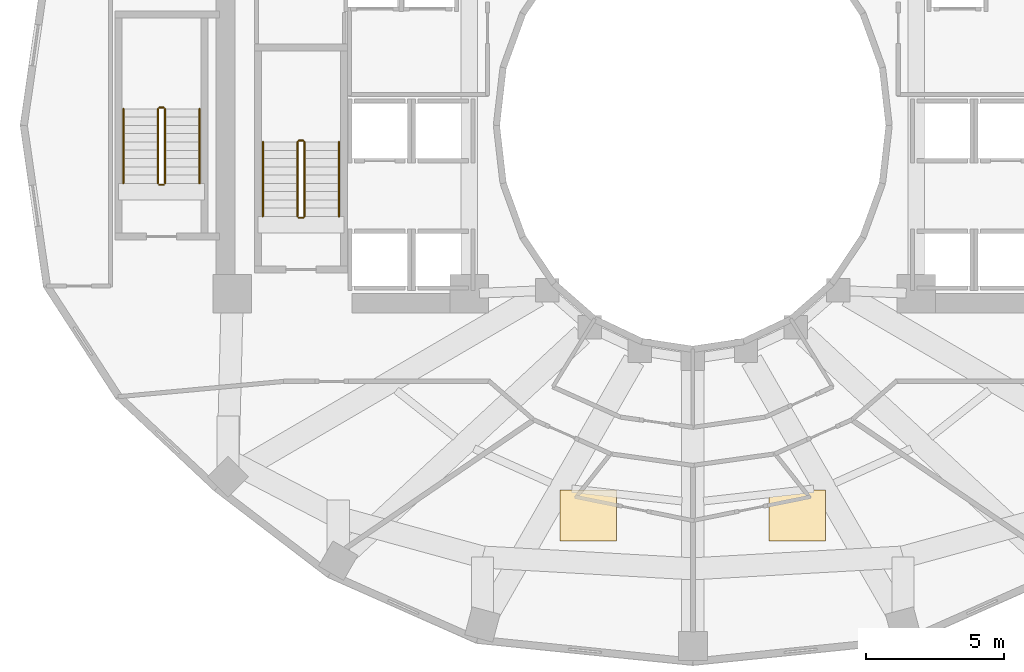
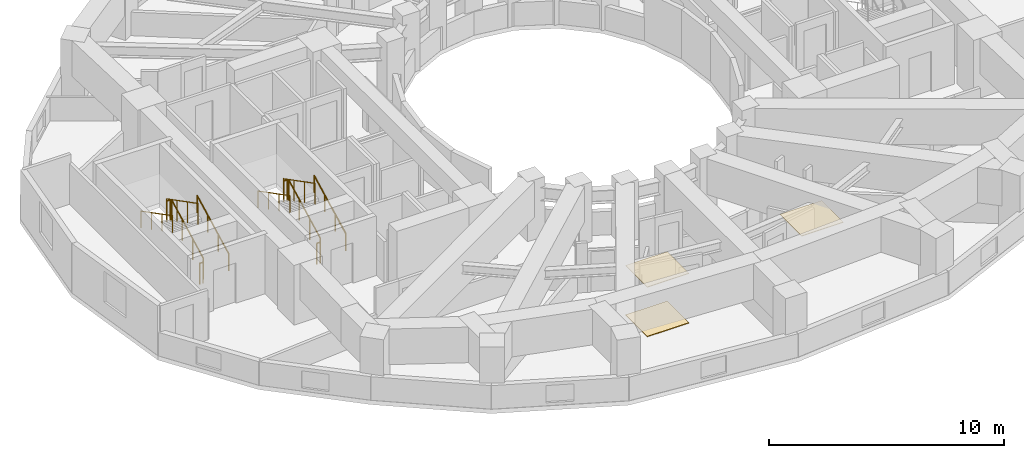
# One storey, part 8 of 9: 12 railings, 3 coverings.
"""IFC4 building model written with IfcOpenShell, lengths in metres."""

from ifc_helpers import new_model, si_unit, direction, frame, origin, origin_2d, place, context, subcontext, project, spatial, polyline, circle, outline, extrude, material, layer, layer_set, type_object, element, save


model = new_model("IFC4")

# Units and contexts
model_context = context("Model", 3, precision=1e-05, world=origin(), true_north=direction((0.0, 1.0)))
body_context = subcontext(model_context, "Body", "Model", "MODEL_VIEW")
ifc_project = project(units=[si_unit("LENGTHUNIT", "METRE"), si_unit("AREAUNIT", "SQUARE_METRE"), si_unit("VOLUMEUNIT", "CUBIC_METRE"), si_unit("PLANEANGLEUNIT", "RADIAN"), si_unit("MASSUNIT", "GRAM", prefix="KILO")], contexts=[model_context])

# Site, building, storey
site_placement = place(None, origin())
site = spatial("IfcSite", under=ifc_project, at=site_placement, CompositionType="ELEMENT")
building_placement = place(site_placement, origin())
building = spatial("IfcBuilding", under=site, at=building_placement, Name="Solvane Sanctuary Tower", CompositionType="ELEMENT")
storey_placement = place(building_placement, frame((0.0, 0.0, 110.39990234375)))
storey = spatial("IfcBuildingStorey", under=building, at=storey_placement, Name="L33", CompositionType="ELEMENT", Elevation=110.39990234375)

# Coverings
ifc_material_1 = material(Name="Acoustic Gypsum Partition Board")
ifc_layer_1 = layer(ifc_material_1, 0.02490234375, Name="Acoustic Gypsum Partition Board")
ifc_layer_set_1 = layer_set([ifc_layer_1], Name="Acoustic Gypsum Partition Board")
covering_type_1 = type_object("IfcCoveringType", Name="Covering CLG-ACOUST", PredefinedType="CEILING", material=ifc_layer_set_1)
covering_1_placement = place(storey_placement, frame((0.0, 0.0, 2.570068359375)))
element("IfcCovering", 1, at=covering_1_placement, inside=storey, type_object=covering_type_1, Name="L33 Unit Acoustic Ceiling Panel 3", PredefinedType="CEILING", context=body_context, shape_type="SweptSolid", body=[
    extrude(outline(polyline([(27.18310546875, 7.924072265625), (29.23291015625, 7.924072265625), (29.23291015625, 9.77392578125), (27.18310546875, 9.77392578125), (27.18310546875, 7.924072265625)])), origin(), (0.0, 0.0, 1.0), 0.030029296875),
])
covering_2_placement = place(storey_placement, frame((0.0, 0.0, 2.570068359375)))
element("IfcCovering", 2, at=covering_2_placement, inside=storey, type_object=covering_type_1, Name="L33 Unit Acoustic Ceiling Panel 4", PredefinedType="CEILING", context=body_context, shape_type="SweptSolid", body=[
    extrude(outline(polyline([(34.76708984375, 7.924072265625), (36.81689453125, 7.924072265625), (36.81689453125, 9.77392578125), (34.76708984375, 9.77392578125), (34.76708984375, 7.924072265625)])), origin(), (0.0, 0.0, 1.0), 0.030029296875),
])
ifc_material_2 = material(Name="Ceramic Tile Finish")
ifc_layer_2 = layer(ifc_material_2, 0.030029296875, Name="Ceramic Tile Finish")
ifc_layer_set_2 = layer_set([ifc_layer_2], Name="Ceramic Tile Finish")
covering_type_2 = type_object("IfcCoveringType", Name="Covering FLR-TERRAZZO", PredefinedType="FLOORING", material=ifc_layer_set_2)
covering_3_placement = place(storey_placement, origin())
element("IfcCovering", 3, at=covering_3_placement, inside=storey, type_object=covering_type_2, Name="L33 Unit Terrazzo Inlay 3", PredefinedType="FLOORING", context=body_context, shape_type="SweptSolid", body=[
    extrude(outline(polyline([(27.18310546875, 7.924072265625), (29.23291015625, 7.924072265625), (29.23291015625, 9.77392578125), (27.18310546875, 9.77392578125), (27.18310546875, 7.924072265625)])), origin(), (0.0, 0.0, 1.0), 0.03515625),
])

# Railings
ifc_material_3 = material(Name="Architectural Stainless Steel 316", Category="steel")
railing_type_1 = type_object("IfcRailingType", Name="Railing GR-BALC-1150", PredefinedType="BALUSTRADE", material=ifc_material_3)
railing_1_placement = place(storey_placement, frame((17.919921875, 19.699951171875, 0.155029296875)))
element("IfcRailing", 4, at=railing_1_placement, inside=storey, type_object=railing_type_1, Name="L33 ST-1 stair guard 1", PredefinedType="BALUSTRADE", context=body_context, shape_type="SweptSolid", body=[
    extrude(circle(Radius=0.02392578125, at=origin_2d()), frame((0.0, 0.0, 1.076171875), z_axis=(0.0, 0.888419900624, 0.459031676658), x_axis=(-1.0, 0.0, 0.0)), (0.0, 0.0, 1.0), 3.0390625),
    extrude(circle(Radius=0.02099609375, at=origin_2d()), origin(), (0.0, 0.0, 1.0), 1.052001953125),
    extrude(circle(Radius=0.02099609375, at=origin_2d()), frame((0.0, 0.89990234375, 0.465087890625)), (0.0, 0.0, 1.0), 1.052001953125),
    extrude(circle(Radius=0.02099609375, at=origin_2d()), frame((0.0, 1.800048828125, 0.929931640625)), (0.0, 0.0, 1.0), 1.052001953125),
    extrude(circle(Radius=0.02099609375, at=origin_2d()), frame((0.0, 2.699951171875, 1.39501953125)), (0.0, 0.0, 1.0), 1.052001953125),
])
railing_2_placement = place(storey_placement, frame((17.8701171875, 22.449951171875, 1.550048828125)))
element("IfcRailing", 5, at=railing_2_placement, inside=storey, type_object=railing_type_1, Name="L33 ST-1 stair guard 2", PredefinedType="BALUSTRADE", context=body_context, shape_type="SweptSolid", body=[
    extrude(circle(Radius=0.02392578125, at=origin_2d()), frame((0.0, 0.0, 1.076171875), z_axis=(-1.0, 0.0, 0.0), x_axis=(0.0, -1.0, 0.0)), (0.0, 0.0, 1.0), 0.16015625),
    extrude(circle(Radius=0.02099609375, at=origin_2d()), origin(), (0.0, 0.0, 1.0), 1.052001953125),
    extrude(circle(Radius=0.02099609375, at=origin_2d()), frame((-0.16015625, 0.0, 0.0)), (0.0, 0.0, 1.0), 1.052001953125),
])
railing_3_placement = place(storey_placement, frame((17.659912109375, 22.39990234375, 1.705078125)))
element("IfcRailing", 6, at=railing_3_placement, inside=storey, type_object=railing_type_1, Name="L33 ST-1 stair guard 3", PredefinedType="BALUSTRADE", context=body_context, shape_type="SweptSolid", body=[
    extrude(circle(Radius=0.02392578125, at=origin_2d()), frame((0.0, 0.0, 1.076171875), z_axis=(0.0, -0.888419900624, 0.459031676658), x_axis=(1.0, 0.0, 0.0)), (0.0, 0.0, 1.0), 3.0390625),
    extrude(circle(Radius=0.02099609375, at=origin_2d()), origin(), (0.0, 0.0, 1.0), 1.052001953125),
    extrude(circle(Radius=0.02099609375, at=origin_2d()), frame((0.0, -0.89990234375, 0.465087890625)), (0.0, 0.0, 1.0), 1.052001953125),
    extrude(circle(Radius=0.02099609375, at=origin_2d()), frame((0.0, -1.800048828125, 0.929931640625)), (0.0, 0.0, 1.0), 1.052001953125),
    extrude(circle(Radius=0.02099609375, at=origin_2d()), frame((0.0, -2.699951171875, 1.39501953125)), (0.0, 0.0, 1.0), 1.052001953125),
])
railing_4_placement = place(storey_placement, frame((17.8701171875, 19.64990234375, 0.0)))
element("IfcRailing", 7, at=railing_4_placement, inside=storey, type_object=railing_type_1, Name="L33 ST-1 stair guard 4", PredefinedType="BALUSTRADE", context=body_context, shape_type="SweptSolid", body=[
    extrude(circle(Radius=0.02392578125, at=origin_2d()), frame((0.0, 0.0, 1.076171875), z_axis=(-1.0, 0.0, 0.0), x_axis=(0.0, -1.0, 0.0)), (0.0, 0.0, 1.0), 0.16015625),
    extrude(circle(Radius=0.02099609375, at=origin_2d()), origin(), (0.0, 0.0, 1.0), 1.052001953125),
    extrude(circle(Radius=0.02099609375, at=origin_2d()), frame((-0.16015625, 0.0, 0.0)), (0.0, 0.0, 1.0), 1.052001953125),
])
railing_5_placement = place(storey_placement, frame((12.860107421875, 20.89990234375, 0.155029296875)))
element("IfcRailing", 8, at=railing_5_placement, inside=storey, type_object=railing_type_1, Name="L33 ST-3 stair guard 1", PredefinedType="BALUSTRADE", context=body_context, shape_type="SweptSolid", body=[
    extrude(circle(Radius=0.02392578125, at=origin_2d()), frame((0.0, 0.0, 1.076171875), z_axis=(0.0, 0.888436826113, 0.458998917216), x_axis=(-1.0, 0.0, 0.0)), (0.0, 0.0, 1.0), 3.039306640625),
    extrude(circle(Radius=0.02099609375, at=origin_2d()), origin(), (0.0, 0.0, 1.0), 1.052001953125),
    extrude(circle(Radius=0.02099609375, at=origin_2d()), frame((0.0, 0.900146484375, 0.465087890625)), (0.0, 0.0, 1.0), 1.052001953125),
    extrude(circle(Radius=0.02099609375, at=origin_2d()), frame((0.0, 1.800048828125, 0.929931640625)), (0.0, 0.0, 1.0), 1.052001953125),
    extrude(circle(Radius=0.02099609375, at=origin_2d()), frame((0.0, 2.7001953125, 1.39501953125)), (0.0, 0.0, 1.0), 1.052001953125),
])
railing_6_placement = place(storey_placement, frame((12.81005859375, 23.64990234375, 1.550048828125)))
element("IfcRailing", 9, at=railing_6_placement, inside=storey, type_object=railing_type_1, Name="L33 ST-3 stair guard 2", PredefinedType="BALUSTRADE", context=body_context, shape_type="SweptSolid", body=[
    extrude(circle(Radius=0.02392578125, at=origin_2d()), frame((0.0, 0.0, 1.076171875), z_axis=(-1.0, 0.0, 0.0), x_axis=(0.0, -1.0, 0.0)), (0.0, 0.0, 1.0), 0.16015625),
    extrude(circle(Radius=0.02099609375, at=origin_2d()), origin(), (0.0, 0.0, 1.0), 1.052001953125),
    extrude(circle(Radius=0.02099609375, at=origin_2d()), frame((-0.16015625, 0.0, 0.0)), (0.0, 0.0, 1.0), 1.052001953125),
])
railing_7_placement = place(storey_placement, frame((12.60009765625, 23.60009765625, 1.705078125)))
element("IfcRailing", 10, at=railing_7_placement, inside=storey, type_object=railing_type_1, Name="L33 ST-3 stair guard 3", PredefinedType="BALUSTRADE", context=body_context, shape_type="SweptSolid", body=[
    extrude(circle(Radius=0.02392578125, at=origin_2d()), frame((0.0, 0.0, 1.076171875), z_axis=(0.0, -0.888436826113, 0.458998917216), x_axis=(1.0, 0.0, 0.0)), (0.0, 0.0, 1.0), 3.039306640625),
    extrude(circle(Radius=0.02099609375, at=origin_2d()), origin(), (0.0, 0.0, 1.0), 1.052001953125),
    extrude(circle(Radius=0.02099609375, at=origin_2d()), frame((0.0, -0.900146484375, 0.465087890625)), (0.0, 0.0, 1.0), 1.052001953125),
    extrude(circle(Radius=0.02099609375, at=origin_2d()), frame((0.0, -1.800048828125, 0.929931640625)), (0.0, 0.0, 1.0), 1.052001953125),
    extrude(circle(Radius=0.02099609375, at=origin_2d()), frame((0.0, -2.7001953125, 1.39501953125)), (0.0, 0.0, 1.0), 1.052001953125),
])
railing_8_placement = place(storey_placement, frame((12.81005859375, 20.85009765625, 0.0)))
element("IfcRailing", 11, at=railing_8_placement, inside=storey, type_object=railing_type_1, Name="L33 ST-3 stair guard 4", PredefinedType="BALUSTRADE", context=body_context, shape_type="SweptSolid", body=[
    extrude(circle(Radius=0.02392578125, at=origin_2d()), frame((0.0, 0.0, 1.076171875), z_axis=(-1.0, 0.0, 0.0), x_axis=(0.0, -1.0, 0.0)), (0.0, 0.0, 1.0), 0.16015625),
    extrude(circle(Radius=0.02099609375, at=origin_2d()), origin(), (0.0, 0.0, 1.0), 1.052001953125),
    extrude(circle(Radius=0.02099609375, at=origin_2d()), frame((-0.16015625, 0.0, 0.0)), (0.0, 0.0, 1.0), 1.052001953125),
])
railing_type_2 = type_object("IfcRailingType", Name="Railing HR-STAIR-920", PredefinedType="HANDRAIL", material=ifc_material_3)
railing_9_placement = place(storey_placement, frame((19.169921875, 19.699951171875, 0.155029296875)))
element("IfcRailing", 12, at=railing_9_placement, inside=storey, type_object=railing_type_2, Name="L33 ST-1 stair handrail 1", PredefinedType="HANDRAIL", context=body_context, shape_type="SweptSolid", body=[
    extrude(circle(Radius=0.02392578125, at=origin_2d()), frame((0.0, 0.0, 0.8759765625), z_axis=(0.0, 0.888419900624, 0.459031676658), x_axis=(-1.0, 0.0, 0.0)), (0.0, 0.0, 1.0), 3.0390625),
    extrude(circle(Radius=0.02099609375, at=origin_2d()), origin(), (0.0, 0.0, 1.0), 0.851806640625),
    extrude(circle(Radius=0.02099609375, at=origin_2d()), frame((0.0, 0.89990234375, 0.465087890625)), (0.0, 0.0, 1.0), 0.851806640625),
    extrude(circle(Radius=0.02099609375, at=origin_2d()), frame((0.0, 1.800048828125, 0.929931640625)), (0.0, 0.0, 1.0), 0.851806640625),
    extrude(circle(Radius=0.02099609375, at=origin_2d()), frame((0.0, 2.699951171875, 1.39501953125)), (0.0, 0.0, 1.0), 0.851806640625),
])
railing_10_placement = place(storey_placement, frame((16.409912109375, 22.39990234375, 1.705078125)))
element("IfcRailing", 13, at=railing_10_placement, inside=storey, type_object=railing_type_2, Name="L33 ST-1 stair handrail 2", PredefinedType="HANDRAIL", context=body_context, shape_type="SweptSolid", body=[
    extrude(circle(Radius=0.02392578125, at=origin_2d()), frame((0.0, 0.0, 0.8759765625), z_axis=(0.0, -0.888419900624, 0.459031676658), x_axis=(1.0, 0.0, 0.0)), (0.0, 0.0, 1.0), 3.0390625),
    extrude(circle(Radius=0.02099609375, at=origin_2d()), origin(), (0.0, 0.0, 1.0), 0.851806640625),
    extrude(circle(Radius=0.02099609375, at=origin_2d()), frame((0.0, -0.89990234375, 0.465087890625)), (0.0, 0.0, 1.0), 0.851806640625),
    extrude(circle(Radius=0.02099609375, at=origin_2d()), frame((0.0, -1.800048828125, 0.929931640625)), (0.0, 0.0, 1.0), 0.851806640625),
    extrude(circle(Radius=0.02099609375, at=origin_2d()), frame((0.0, -2.699951171875, 1.39501953125)), (0.0, 0.0, 1.0), 0.851806640625),
])
railing_11_placement = place(storey_placement, frame((14.110107421875, 20.89990234375, 0.155029296875)))
element("IfcRailing", 14, at=railing_11_placement, inside=storey, type_object=railing_type_2, Name="L33 ST-3 stair handrail 1", PredefinedType="HANDRAIL", context=body_context, shape_type="SweptSolid", body=[
    extrude(circle(Radius=0.02392578125, at=origin_2d()), frame((0.0, 0.0, 0.8759765625), z_axis=(0.0, 0.888436826113, 0.458998917216), x_axis=(-1.0, 0.0, 0.0)), (0.0, 0.0, 1.0), 3.039306640625),
    extrude(circle(Radius=0.02099609375, at=origin_2d()), origin(), (0.0, 0.0, 1.0), 0.851806640625),
    extrude(circle(Radius=0.02099609375, at=origin_2d()), frame((0.0, 0.900146484375, 0.465087890625)), (0.0, 0.0, 1.0), 0.851806640625),
    extrude(circle(Radius=0.02099609375, at=origin_2d()), frame((0.0, 1.800048828125, 0.929931640625)), (0.0, 0.0, 1.0), 0.851806640625),
    extrude(circle(Radius=0.02099609375, at=origin_2d()), frame((0.0, 2.7001953125, 1.39501953125)), (0.0, 0.0, 1.0), 0.851806640625),
])
railing_12_placement = place(storey_placement, frame((11.35009765625, 23.60009765625, 1.705078125)))
element("IfcRailing", 15, at=railing_12_placement, inside=storey, type_object=railing_type_2, Name="L33 ST-3 stair handrail 2", PredefinedType="HANDRAIL", context=body_context, shape_type="SweptSolid", body=[
    extrude(circle(Radius=0.02392578125, at=origin_2d()), frame((0.0, 0.0, 0.8759765625), z_axis=(0.0, -0.888436826113, 0.458998917216), x_axis=(1.0, 0.0, 0.0)), (0.0, 0.0, 1.0), 3.039306640625),
    extrude(circle(Radius=0.02099609375, at=origin_2d()), origin(), (0.0, 0.0, 1.0), 0.851806640625),
    extrude(circle(Radius=0.02099609375, at=origin_2d()), frame((0.0, -0.900146484375, 0.465087890625)), (0.0, 0.0, 1.0), 0.851806640625),
    extrude(circle(Radius=0.02099609375, at=origin_2d()), frame((0.0, -1.800048828125, 0.929931640625)), (0.0, 0.0, 1.0), 0.851806640625),
    extrude(circle(Radius=0.02099609375, at=origin_2d()), frame((0.0, -2.7001953125, 1.39501953125)), (0.0, 0.0, 1.0), 0.851806640625),
])

save(model, "model.ifc")
